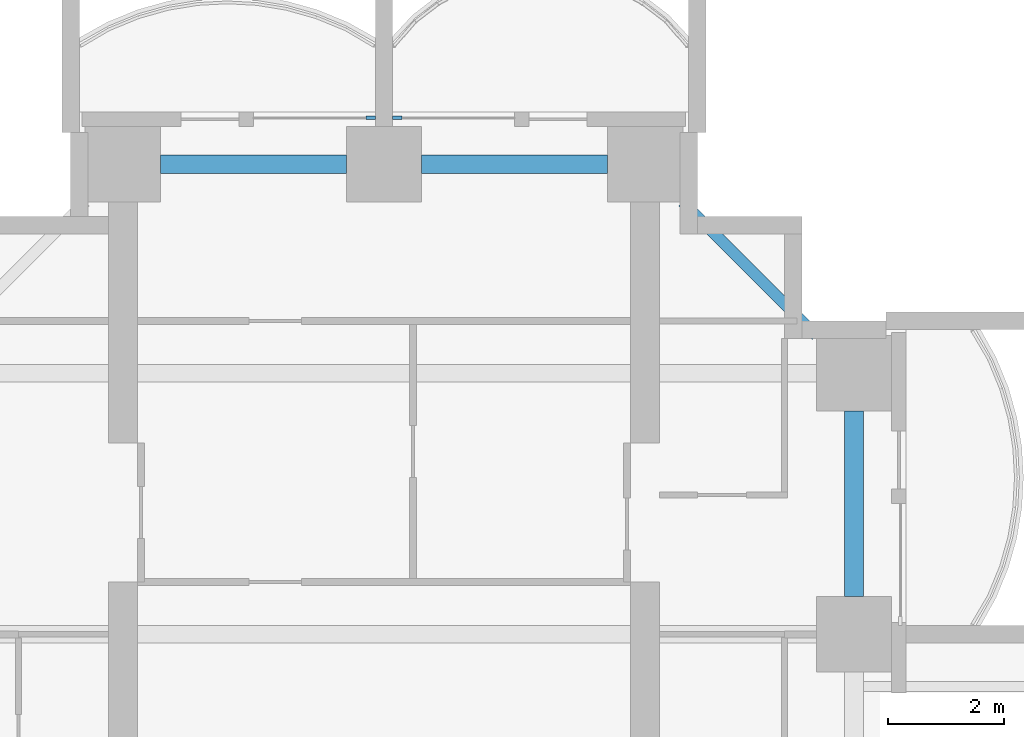
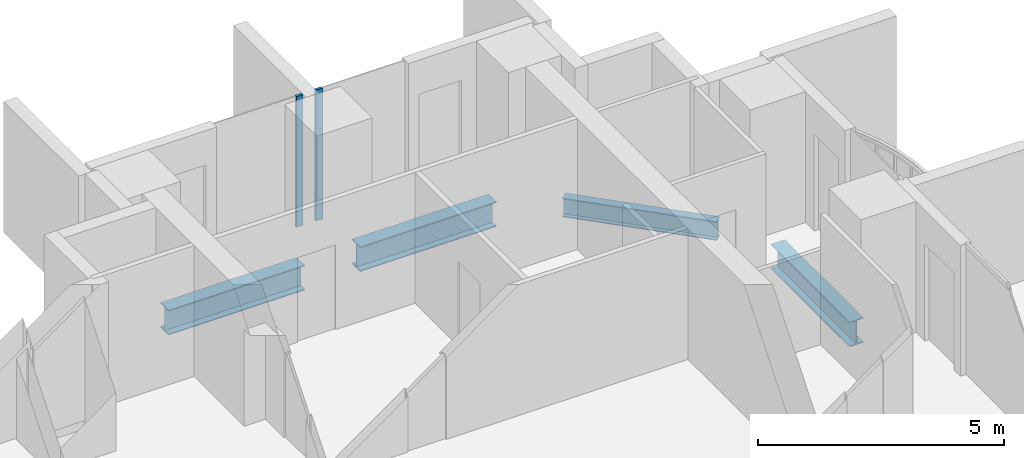
# One storey, part 7 of 21: 4 beams, 2 members, 2 elements without a shape of their own.
"""IFC4 building model written with IfcOpenShell, lengths in metres."""

import ifcopenshell
import ifcopenshell.guid

model = None  # the IFC model being written
_history = None  # IfcOwnerHistory: only IFC2X3 demands one
_inside = {}  # id of a spatial element -> (the spatial element, [elements in it])
_under = {}  # id of a project, library or spatial element -> (it, [spatial elements below it])
_declared = {}  # id of a project -> (the project, [libraries it declares])
_typed = {}  # id of a type object -> (the type object, [elements of that type])
_made_of = {}  # id of a material, layer set ... -> (it, [elements and type objects made of it])


def new_model(schema):
    """Start an empty IFC model of exactly this schema.

    Asked for "IFC4X3", IfcOpenShell would pick the latest addendum, in which some entities
    have other attributes; the version numbers below select the first issue.
    IFC2X3 requires an IfcOwnerHistory on every rooted entity: one is made here for all.
    """
    global model, _history
    if schema == "IFC4X3":
        model = ifcopenshell.file(schema_version=(4, 3, 0, 0))
    else:
        model = ifcopenshell.file(schema=schema)
    _inside.clear()
    _under.clear()
    _declared.clear()
    _typed.clear()
    _made_of.clear()
    _history = None
    if model.schema == "IFC2X3":
        org = make("IfcOrganization", Name="unknown")
        user = make(
            "IfcPersonAndOrganization",
            ThePerson=make("IfcPerson", FamilyName="unknown"),
            TheOrganization=org,
        )
        app = make(
            "IfcApplication",
            ApplicationDeveloper=org,
            Version="unknown",
            ApplicationFullName="unknown",
            ApplicationIdentifier="unknown",
        )
        _history = make(
            "IfcOwnerHistory",
            OwningUser=user,
            OwningApplication=app,
            ChangeAction="ADDED",
            CreationDate=0,
        )
    return model


def make(cls, **values):
    """One entity of the class cls with the attributes given. An attribute that is None is left unset."""
    return model.create_entity(
        cls, **{name: value for name, value in values.items() if value is not None}
    )


def rooted(cls, **values):
    """An entity with a GlobalId (a new one), such as an element, a storey or a relation."""
    return make(cls, GlobalId=ifcopenshell.guid.new(), OwnerHistory=_history, **values)


def si_unit(unit_type, name, prefix=None):
    """IfcSIUnit, for example si_unit("LENGTHUNIT", "METRE", prefix="MILLI")."""
    return make("IfcSIUnit", UnitType=unit_type, Prefix=prefix, Name=name)


def assignment(units):
    """IfcUnitAssignment: the units of a project."""
    return None if units is None else make("IfcUnitAssignment", Units=units)


def point(xyz):
    """IfcCartesianPoint."""
    return None if xyz is None else make("IfcCartesianPoint", Coordinates=xyz)


def direction(xyz):
    """IfcDirection."""
    return None if xyz is None else make("IfcDirection", DirectionRatios=xyz)


def frame(location, z_axis=None, x_axis=None):
    """IfcAxis2Placement3D, a coordinate frame: its origin and axes. An axis left out is left unset."""
    return make(
        "IfcAxis2Placement3D",
        Location=point(location),
        Axis=direction(z_axis),
        RefDirection=direction(x_axis),
    )


def frame_2d(location, x_axis=None):
    """IfcAxis2Placement2D, a coordinate frame in the plane: its origin and x axis."""
    return make(
        "IfcAxis2Placement2D", Location=point(location), RefDirection=direction(x_axis)
    )


def origin():
    """The frame at (0, 0, 0) with its axes left unset."""
    return frame((0.0, 0.0, 0.0))


def origin_2d():
    """The frame at (0, 0) in the plane with its x axis left unset."""
    return frame_2d((0.0, 0.0))


def place(relative_to, where):
    """IfcLocalPlacement: puts the frame where relative to a parent placement (None: the world)."""
    return make(
        "IfcLocalPlacement", PlacementRelTo=relative_to, RelativePlacement=where
    )


def context(
    kind, dimensions, precision=None, world=None, true_north=None, identifier=None
):
    """IfcGeometricRepresentationContext, for example the 3D "Model" context."""
    return make(
        "IfcGeometricRepresentationContext",
        ContextIdentifier=identifier,
        ContextType=kind,
        CoordinateSpaceDimension=dimensions,
        Precision=precision,
        WorldCoordinateSystem=world,
        TrueNorth=true_north,
    )


def subcontext(parent, identifier, kind, view, scale=None):
    """IfcGeometricRepresentationSubContext, for example "Body" below "Model"."""
    return make(
        "IfcGeometricRepresentationSubContext",
        ContextIdentifier=identifier,
        ContextType=kind,
        ParentContext=parent,
        TargetScale=scale,
        TargetView=view,
    )


def project(units=None, contexts=None):
    """IfcProject with its units and contexts."""
    return rooted(
        "IfcProject",
        Name="project",
        RepresentationContexts=contexts,
        UnitsInContext=assignment(units),
    )


def spatial(cls, under=None, at=None, **own):
    """A site, building, storey or space (cls), placed at a placement, below another one or the project."""
    s = rooted(cls, ObjectPlacement=at, **own)
    if under is not None:
        _under.setdefault(under.id(), (under, []))[1].append(s)
    return s


def profile(cls, at=None, kind="AREA", **sizes):
    """A parametric profile (cls). Its sizes go by their IFC names, for example OverallWidth=200.0."""
    return make(cls, ProfileType=kind, Position=at, **sizes)


def rectangle(**sizes):
    """IfcRectangleProfileDef."""
    return profile("IfcRectangleProfileDef", **sizes)


def i_section(**sizes):
    """IfcIShapeProfileDef."""
    return profile("IfcIShapeProfileDef", **sizes)


def extrude(swept, where, along, depth):
    """IfcExtrudedAreaSolid: the profile swept, set in the frame where, extruded along a direction by depth."""
    return make(
        "IfcExtrudedAreaSolid",
        SweptArea=swept,
        Position=where,
        ExtrudedDirection=direction(along),
        Depth=depth,
    )


def shape(context_of_items, identifier, shape_type, items):
    """IfcShapeRepresentation: the items that make up one representation, for example the "Body"."""
    return make(
        "IfcShapeRepresentation",
        ContextOfItems=context_of_items,
        RepresentationIdentifier=identifier,
        RepresentationType=shape_type,
        Items=items,
    )


def material(Name=None, Category=None):
    """IfcMaterial."""
    return make("IfcMaterial", Name=Name, Category=Category)


def material_profile(
    of_material, cross_section, Name=None, Category=None, Priority=None
):
    """IfcMaterialProfile: a cross section and its material."""
    return make(
        "IfcMaterialProfile",
        Name=Name,
        Material=of_material,
        Profile=cross_section,
        Priority=Priority,
        Category=Category,
    )


def profile_set(profiles, Name=None, composite=None):
    """IfcMaterialProfileSet."""
    return make(
        "IfcMaterialProfileSet",
        Name=Name,
        MaterialProfiles=profiles,
        CompositeProfile=composite,
    )


def made_of(thing, what):
    """Note that an element or type object is made of a material, layer set ...; save() writes the relation."""
    if what is not None:
        _made_of.setdefault(what.id(), (what, []))[1].append(thing)
    return thing


def type_object(cls, material=None, **own):
    """A type object (cls), such as IfcWallType, which elements share."""
    return made_of(rooted(cls, **own), material)


def element(
    cls,
    number,
    at=None,
    inside=None,
    cuts=None,
    type_object=None,
    material=None,
    context=None,
    identifier="Body",
    shape_type=None,
    held_by="IfcProductDefinitionShape",
    body=None,
    shapes=None,
    **own,
):
    """One element of the class cls, such as IfcWall. Its Tag is "e" and its number.

    at: its placement. inside: the storey or other place that contains it. cuts: it is an
    opening in that element (IfcRelVoidsElement). A single representation is given by context,
    identifier, shape_type and body (its items); several are given by shapes. held_by: the class
    of the entity that holds the representations. save() writes the other relations.
    """
    e = rooted(cls, Tag="e%d" % number, ObjectPlacement=at, **own)
    if body is not None:
        shapes = [shape(context, identifier, shape_type, body)]
    if shapes is not None:
        e.Representation = make(held_by, Representations=shapes)
    if inside is not None:
        _inside.setdefault(inside.id(), (inside, []))[1].append(e)
    if cuts is not None:
        rooted(
            "IfcRelVoidsElement", RelatingBuildingElement=cuts, RelatedOpeningElement=e
        )
    if type_object is not None:
        _typed.setdefault(type_object.id(), (type_object, []))[1].append(e)
    return made_of(e, material)


def aggregate(whole, parts):
    """IfcRelAggregates: a whole, such as a stair, and the parts it consists of."""
    return rooted("IfcRelAggregates", RelatingObject=whole, RelatedObjects=parts)


def save(model, path):
    """Write the relations noted so far, then the file.

    IfcRelAggregates (storeys below a building ...), IfcRelContainedInSpatialStructure (elements
    in a storey), IfcRelDefinesByType, IfcRelAssociatesMaterial and IfcRelDeclares: one each for
    every whole, place, type object, material and project.
    """
    for whole, parts in _under.values():
        aggregate(whole, parts)
    for where, things in _inside.values():
        rooted(
            "IfcRelContainedInSpatialStructure",
            RelatedElements=things,
            RelatingStructure=where,
        )
    for kind, things in _typed.values():
        rooted("IfcRelDefinesByType", RelatedObjects=things, RelatingType=kind)
    for what, things in _made_of.values():
        rooted("IfcRelAssociatesMaterial", RelatedObjects=things, RelatingMaterial=what)
    for by, libraries in _declared.values():
        rooted("IfcRelDeclares", RelatingContext=by, RelatedDefinitions=libraries)
    model.write(path)


model = new_model("IFC4")

# Units and contexts
model_context = context("Model", 3, precision=1e-05, world=origin(), true_north=direction((0.0, 1.0)))
body_context = subcontext(model_context, "Body", "Model", "MODEL_VIEW")
ifc_project = project(units=[si_unit("LENGTHUNIT", "METRE"), si_unit("AREAUNIT", "SQUARE_METRE"), si_unit("VOLUMEUNIT", "CUBIC_METRE"), si_unit("PLANEANGLEUNIT", "RADIAN"), si_unit("MASSUNIT", "GRAM", prefix="KILO")], contexts=[model_context])

# Site, building, storey
site_placement = place(None, origin())
site = spatial("IfcSite", under=ifc_project, at=site_placement, CompositionType="ELEMENT")
building_placement = place(site_placement, origin())
building = spatial("IfcBuilding", under=site, at=building_placement, Name="Perihelion Cross Residences", CompositionType="ELEMENT")
storey_placement = place(building_placement, frame((0.0, 0.0, 57.5)))
storey = spatial("IfcBuildingStorey", under=building, at=storey_placement, Name="L11", CompositionType="ELEMENT", Elevation=57.5)

# Curtain wall, member
ifc_material_1 = material(Name="Bronze anodised aluminium, tinted glazing", Category="aluminium")
curtain_wall_type = type_object("IfcCurtainWallType", Name="CW1", PredefinedType="NOTDEFINED", material=ifc_material_1)
curtain_wall_1_placement = place(storey_placement, origin())
curtain_wall_1 = element("IfcCurtainWall", 1, at=curtain_wall_1_placement, inside=storey, type_object=curtain_wall_type, Name="Curtain wall CW1 L11 north tip north bay 1", PredefinedType="NOTDEFINED")
ifc_material_2 = material(Name="Bronze anodised aluminium", Category="aluminium")
ifc_material_profile_1 = material_profile(ifc_material_2, rectangle(XDim=0.06005859375, YDim=0.159912109375, at=origin_2d()), Name="CW1 mullion")
ifc_profile_set_1 = profile_set([ifc_material_profile_1], Name="Bronze anodised aluminium")
member_type = type_object("IfcMemberType", Name="CW1 mullion", PredefinedType="MULLION", material=ifc_profile_set_1)
member_1_placement = place(storey_placement, frame((0.22998046875, 26.89990234375, 0.0), z_axis=(0.0, 0.0, 1.0), x_axis=(0.0, -1.0, 0.0)))
member_1 = element("IfcMember", 2, at=member_1_placement, type_object=member_type, Name="CW1 mullion 2", PredefinedType="MULLION", context=body_context, shape_type="SweptSolid", body=[
    extrude(rectangle(XDim=0.06005859375, YDim=0.159912109375, at=origin_2d()), origin(), (0.0, 0.0, 1.0), 3.25),
])
aggregate(curtain_wall_1, [member_1])

curtain_wall_2_placement = place(storey_placement, origin())
curtain_wall_2 = element("IfcCurtainWall", 3, at=curtain_wall_2_placement, inside=storey, type_object=curtain_wall_type, Name="Curtain wall CW1 L11 north tip north bay 2", PredefinedType="NOTDEFINED")
member_2_placement = place(storey_placement, frame((-0.22998046875, 26.89990234375, 0.0), z_axis=(0.0, 0.0, 1.0), x_axis=(0.0, -1.0, 0.0)))
member_2 = element("IfcMember", 4, at=member_2_placement, type_object=member_type, Name="CW1 mullion 1", PredefinedType="MULLION", context=body_context, shape_type="SweptSolid", body=[
    extrude(rectangle(XDim=0.06005859375, YDim=0.159912109375, at=origin_2d()), origin(), (0.0, 0.0, 1.0), 3.25),
])
aggregate(curtain_wall_2, [member_2])

# Beams
ifc_material_3 = material(Name="Steel S355", Category="steel")
ifc_material_profile_2 = material_profile(ifc_material_3, i_section(OverallWidth=0.324951171875, OverallDepth=0.616943359375, WebThickness=0.013916015625, FlangeThickness=0.021484375, at=origin_2d()), Name="W610x174")
ifc_profile_set_2 = profile_set([ifc_material_profile_2], Name="Steel S355")
beam_type_1 = type_object("IfcBeamType", Name="Edge beam W610x174", PredefinedType="SPANDREL", material=ifc_profile_set_2)
for number, where, z_axis, x_axis, name in (
    (5, (8.10009765625, 18.64990234375, -0.55859375), (0.0, 1.0, 0.0), (-1.0, 0.0, 0.0), "Edge beam SB2 L11 no. 19"),
    (6, (3.85009765625, 26.10009765625, -0.55859375), (-1.0, 0.0, 0.0), (0.0, -1.0, 0.0), "Edge beam SB2 L11 no. 15"),
    (7, (-0.64990234375, 26.10009765625, -0.55859375), (-1.0, 0.0, 0.0), (0.0, -1.0, 0.0), "Edge beam SB2 L11 no. 11"),
):
    element("IfcBeam", number, at=place(storey_placement, frame(where, z_axis=z_axis, x_axis=x_axis)), inside=storey, type_object=beam_type_1, Name=name, PredefinedType="SPANDREL", context=body_context, shape_type="SweptSolid", body=[
        extrude(i_section(OverallWidth=0.324951171875, OverallDepth=0.616943359375, WebThickness=0.013916015625, FlangeThickness=0.021484375, at=origin_2d()), origin(), (0.0, 0.0, 1.0), 3.2001953125),
    ])
ifc_material_4 = material(Name="Steel S355", Category="steel")
ifc_material_profile_3 = material_profile(ifc_material_4, i_section(OverallWidth=0.194091796875, OverallDepth=0.469970703125, WebThickness=0.0126953125, FlangeThickness=0.0205078125, at=origin_2d()), Name="W460x106")
ifc_profile_set_3 = profile_set([ifc_material_profile_3], Name="Steel S355")
beam_type_2 = type_object("IfcBeamType", Name="Serration edge beam W460x106", PredefinedType="BEAM", material=ifc_profile_set_3)
beam_placement = place(storey_placement, frame((7.449951171875, 23.14990234375, -0.485107421875), z_axis=(-0.707106781187, 0.707106781187, 0.0), x_axis=(-0.707106781187, -0.707106781187, 0.0)))
element("IfcBeam", 8, at=beam_placement, inside=storey, type_object=beam_type_2, Name="Serration edge beam EB2 L11 no. 4", PredefinedType="BEAM", context=body_context, shape_type="SweptSolid", body=[
    extrude(i_section(OverallWidth=0.194091796875, OverallDepth=0.469970703125, WebThickness=0.0126953125, FlangeThickness=0.0205078125, at=origin_2d()), origin(), (0.0, 0.0, 1.0), 3.252685546875),
])

save(model, "model.ifc")
